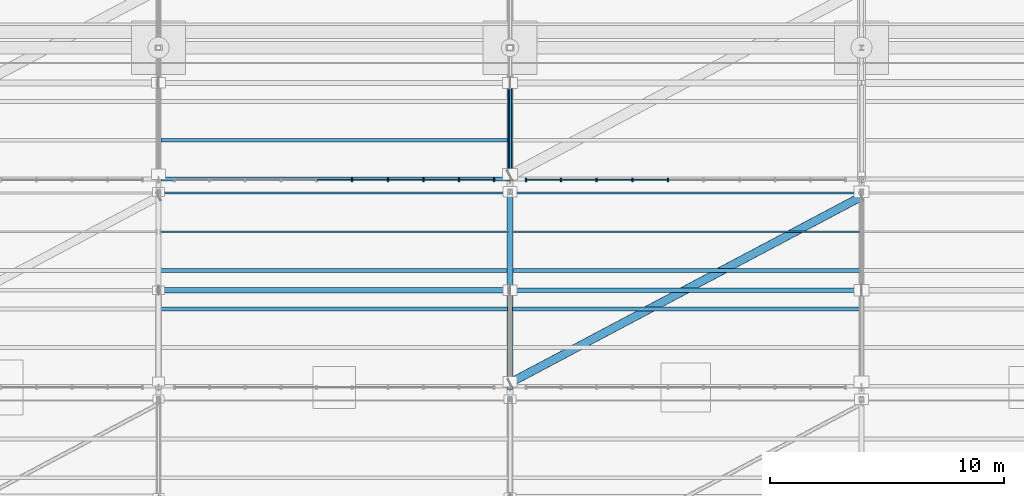
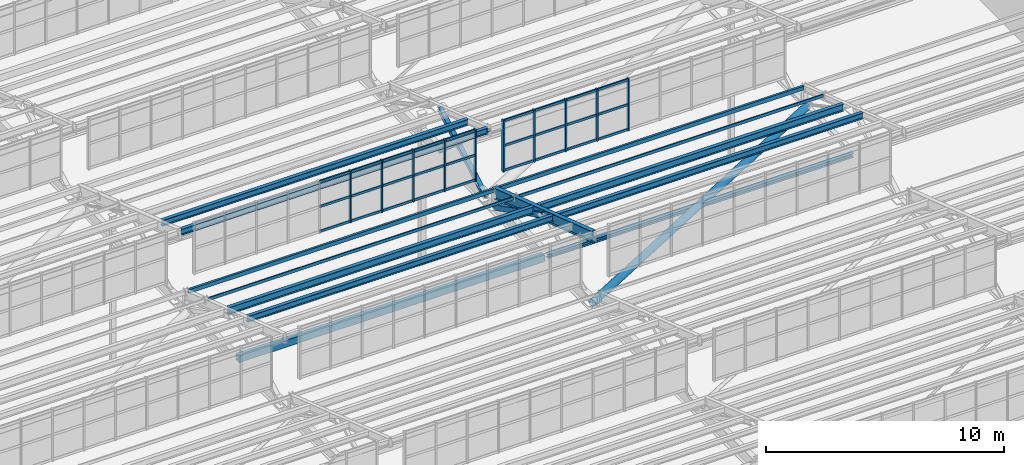
# One storey, part 104 of 285: 43 members, 11 beams, 2 elements without a shape of their own.
"""IFC4 building model written with IfcOpenShell, lengths in metres."""

from ifc_helpers import new_model, si_unit, direction, frame, origin, origin_2d, place, context, subcontext, project, spatial, rectangle, hollow_rectangle, hollow_circle, i_section, extrude, material, material_profile, profile_set, type_object, element, aggregate, save


model = new_model("IFC4")

# Units and contexts
model_context = context("Model", 3, precision=1e-05, world=origin(), true_north=direction((0.0, 1.0)))
body_context = subcontext(model_context, "Body", "Model", "MODEL_VIEW")
ifc_project = project(units=[si_unit("LENGTHUNIT", "METRE"), si_unit("AREAUNIT", "SQUARE_METRE"), si_unit("VOLUMEUNIT", "CUBIC_METRE"), si_unit("PLANEANGLEUNIT", "RADIAN"), si_unit("MASSUNIT", "GRAM", prefix="KILO")], contexts=[model_context])

# Site, building, storey
site_placement = place(None, origin())
site = spatial("IfcSite", under=ifc_project, at=site_placement, CompositionType="ELEMENT")
building_placement = place(site_placement, origin())
building = spatial("IfcBuilding", under=site, at=building_placement, Name="Solanera Park Tramway Depot", CompositionType="ELEMENT")
storey_placement = place(building_placement, origin())
storey = spatial("IfcBuildingStorey", under=building, at=storey_placement, Name="L00", CompositionType="ELEMENT", Elevation=0.0)

# Curtain wall, members
ifc_material_1 = material(Name="Bronze-anodised thermally broken aluminium curtain wall", Category="aluminium")
curtain_wall_type = type_object("IfcCurtainWallType", Name="Sawtooth Clerestory Monitor Curtain Wall", PredefinedType="NOTDEFINED", material=ifc_material_1)
curtain_wall_1_placement = place(storey_placement, origin())
curtain_wall_1 = element("IfcCurtainWall", 1, at=curtain_wall_1_placement, inside=storey, type_object=curtain_wall_type, Name="L00 Sawtooth Clerestory Monitor Curtain Wall #050", PredefinedType="NOTDEFINED")
ifc_material_2 = material(Name="Bronze-anodised structural aluminium 6063-T6", Category="aluminium")
ifc_material_profile_1 = material_profile(ifc_material_2, rectangle(XDim=0.06494140625, YDim=0.14990234375, at=origin_2d()), Name="Curtain Wall Mullion 65x150")
ifc_profile_set_1 = profile_set([ifc_material_profile_1], Name="Bronze-anodised structural aluminium 6063-T6")
member_type_1 = type_object("IfcMemberType", Name="Curtain Wall Mullion 65x150", PredefinedType="MULLION", material=ifc_profile_set_1)
member_1_placement = place(storey_placement, frame((113.260986328125, 108.85009765625, 7.75), z_axis=(0.0, 0.0, 1.0), x_axis=(1.0, 0.0, 0.0)))
member_1 = element("IfcMember", 2, at=member_1_placement, type_object=member_type_1, Name="CW-L00-050 Mullion 6", PredefinedType="MULLION", context=body_context, shape_type="SweptSolid", body=[
    extrude(rectangle(XDim=0.06494140625, YDim=0.14990234375, at=origin_2d()), origin(), (0.0, 0.0, 1.0), 2.6611328125),
])
member_2_placement = place(storey_placement, frame((114.783203125, 108.85009765625, 7.75), z_axis=(0.0, 0.0, 1.0), x_axis=(1.0, 0.0, 0.0)))
member_2 = element("IfcMember", 3, at=member_2_placement, type_object=member_type_1, Name="CW-L00-050 Mullion 7", PredefinedType="MULLION", context=body_context, shape_type="SweptSolid", body=[
    extrude(rectangle(XDim=0.06494140625, YDim=0.14990234375, at=origin_2d()), origin(), (0.0, 0.0, 1.0), 2.6611328125),
])
member_3_placement = place(storey_placement, frame((116.3056640625, 108.85009765625, 7.75), z_axis=(0.0, 0.0, 1.0), x_axis=(1.0, 0.0, 0.0)))
member_3 = element("IfcMember", 4, at=member_3_placement, type_object=member_type_1, Name="CW-L00-050 Mullion 8", PredefinedType="MULLION", context=body_context, shape_type="SweptSolid", body=[
    extrude(rectangle(XDim=0.06494140625, YDim=0.14990234375, at=origin_2d()), origin(), (0.0, 0.0, 1.0), 2.6611328125),
])
member_4_placement = place(storey_placement, frame((117.827880859375, 108.85009765625, 7.75), z_axis=(0.0, 0.0, 1.0), x_axis=(1.0, 0.0, 0.0)))
member_4 = element("IfcMember", 5, at=member_4_placement, type_object=member_type_1, Name="CW-L00-050 Mullion 9", PredefinedType="MULLION", context=body_context, shape_type="SweptSolid", body=[
    extrude(rectangle(XDim=0.06494140625, YDim=0.14990234375, at=origin_2d()), origin(), (0.0, 0.0, 1.0), 2.6611328125),
])
member_5_placement = place(storey_placement, frame((119.3173828125, 108.85009765625, 7.75), z_axis=(0.0, 0.0, 1.0), x_axis=(1.0, 0.0, 0.0)))
member_5 = element("IfcMember", 6, at=member_5_placement, type_object=member_type_1, Name="CW-L00-050 Mullion 10", PredefinedType="MULLION", context=body_context, shape_type="SweptSolid", body=[
    extrude(rectangle(XDim=0.06494140625, YDim=0.14990234375, at=origin_2d()), origin(), (0.0, 0.0, 1.0), 2.6611328125),
])

curtain_wall_2_placement = place(storey_placement, origin())
curtain_wall_2 = element("IfcCurtainWall", 7, at=curtain_wall_2_placement, inside=storey, type_object=curtain_wall_type, Name="L00 Sawtooth Clerestory Monitor Curtain Wall #051", PredefinedType="NOTDEFINED")
member_6_placement = place(storey_placement, frame((120.6826171875, 108.85009765625, 7.75), z_axis=(0.0, 0.0, 1.0), x_axis=(1.0, 0.0, 0.0)))
member_6 = element("IfcMember", 8, at=member_6_placement, type_object=member_type_1, Name="CW-L00-051 Mullion 1", PredefinedType="MULLION", context=body_context, shape_type="SweptSolid", body=[
    extrude(rectangle(XDim=0.06494140625, YDim=0.14990234375, at=origin_2d()), origin(), (0.0, 0.0, 1.0), 2.6611328125),
])
member_7_placement = place(storey_placement, frame((122.172119140625, 108.85009765625, 7.75), z_axis=(0.0, 0.0, 1.0), x_axis=(1.0, 0.0, 0.0)))
member_7 = element("IfcMember", 9, at=member_7_placement, type_object=member_type_1, Name="CW-L00-051 Mullion 2", PredefinedType="MULLION", context=body_context, shape_type="SweptSolid", body=[
    extrude(rectangle(XDim=0.06494140625, YDim=0.14990234375, at=origin_2d()), origin(), (0.0, 0.0, 1.0), 2.6611328125),
])
member_8_placement = place(storey_placement, frame((123.6943359375, 108.85009765625, 7.75), z_axis=(0.0, 0.0, 1.0), x_axis=(1.0, 0.0, 0.0)))
member_8 = element("IfcMember", 10, at=member_8_placement, type_object=member_type_1, Name="CW-L00-051 Mullion 3", PredefinedType="MULLION", context=body_context, shape_type="SweptSolid", body=[
    extrude(rectangle(XDim=0.06494140625, YDim=0.14990234375, at=origin_2d()), origin(), (0.0, 0.0, 1.0), 2.6611328125),
])
member_9_placement = place(storey_placement, frame((125.216796875, 108.85009765625, 7.75), z_axis=(0.0, 0.0, 1.0), x_axis=(1.0, 0.0, 0.0)))
member_9 = element("IfcMember", 11, at=member_9_placement, type_object=member_type_1, Name="CW-L00-051 Mullion 4", PredefinedType="MULLION", context=body_context, shape_type="SweptSolid", body=[
    extrude(rectangle(XDim=0.06494140625, YDim=0.14990234375, at=origin_2d()), origin(), (0.0, 0.0, 1.0), 2.6611328125),
])
member_10_placement = place(storey_placement, frame((126.739013671875, 108.85009765625, 7.75), z_axis=(0.0, 0.0, 1.0), x_axis=(1.0, 0.0, 0.0)))
member_10 = element("IfcMember", 12, at=member_10_placement, type_object=member_type_1, Name="CW-L00-051 Mullion 5", PredefinedType="MULLION", context=body_context, shape_type="SweptSolid", body=[
    extrude(rectangle(XDim=0.06494140625, YDim=0.14990234375, at=origin_2d()), origin(), (0.0, 0.0, 1.0), 2.6611328125),
])

# Member
ifc_material_3 = material(Name="Bronze-anodised structural aluminium 6063-T6", Category="aluminium")
ifc_material_profile_2 = material_profile(ifc_material_3, rectangle(XDim=0.06494140625, YDim=0.1201171875, at=origin_2d()), Name="Curtain Wall Transom 65x120")
ifc_profile_set_2 = profile_set([ifc_material_profile_2], Name="Bronze-anodised structural aluminium 6063-T6")
member_type_2 = type_object("IfcMemberType", Name="Curtain Wall Transom 65x120", PredefinedType="USERDEFINED", material=ifc_profile_set_2)
member_11_placement = place(storey_placement, frame((111.766845703125, 108.85009765625, 7.81005859375), z_axis=(1.0, 0.0, 0.0), x_axis=(0.0, 1.0, 0.0)))
member_11 = element("IfcMember", 13, at=member_11_placement, type_object=member_type_2, Name="CW-L00-050 Transom R1.C5", ObjectType="TRANSOM", PredefinedType="USERDEFINED", context=body_context, shape_type="SweptSolid", body=[
    extrude(rectangle(XDim=0.06494140625, YDim=0.1201171875, at=origin_2d()), origin(), (0.0, 0.0, 1.0), 1.46630859375),
])

member_12_placement = place(storey_placement, frame((113.2890625, 108.85009765625, 7.81005859375), z_axis=(1.0, 0.0, 0.0), x_axis=(0.0, 1.0, 0.0)))
member_12 = element("IfcMember", 14, at=member_12_placement, type_object=member_type_2, Name="CW-L00-050 Transom R1.C6", ObjectType="TRANSOM", PredefinedType="USERDEFINED", context=body_context, shape_type="SweptSolid", body=[
    extrude(rectangle(XDim=0.06494140625, YDim=0.1201171875, at=origin_2d()), origin(), (0.0, 0.0, 1.0), 1.46630859375),
])

member_13_placement = place(storey_placement, frame((114.811279296875, 108.85009765625, 7.81005859375), z_axis=(1.0, 0.0, 0.0), x_axis=(0.0, 1.0, 0.0)))
member_13 = element("IfcMember", 15, at=member_13_placement, type_object=member_type_2, Name="CW-L00-050 Transom R1.C7", ObjectType="TRANSOM", PredefinedType="USERDEFINED", context=body_context, shape_type="SweptSolid", body=[
    extrude(rectangle(XDim=0.06494140625, YDim=0.1201171875, at=origin_2d()), origin(), (0.0, 0.0, 1.0), 1.46630859375),
])

member_14_placement = place(storey_placement, frame((116.33349609375, 108.85009765625, 7.81005859375), z_axis=(1.0, 0.0, 0.0), x_axis=(0.0, 1.0, 0.0)))
member_14 = element("IfcMember", 16, at=member_14_placement, type_object=member_type_2, Name="CW-L00-050 Transom R1.C8", ObjectType="TRANSOM", PredefinedType="USERDEFINED", context=body_context, shape_type="SweptSolid", body=[
    extrude(rectangle(XDim=0.06494140625, YDim=0.1201171875, at=origin_2d()), origin(), (0.0, 0.0, 1.0), 1.46630859375),
])

member_15_placement = place(storey_placement, frame((117.855712890625, 108.85009765625, 7.81005859375), z_axis=(1.0, 0.0, 0.0), x_axis=(0.0, 1.0, 0.0)))
member_15 = element("IfcMember", 17, at=member_15_placement, type_object=member_type_2, Name="CW-L00-050 Transom R1.C9", ObjectType="TRANSOM", PredefinedType="USERDEFINED", context=body_context, shape_type="SweptSolid", body=[
    extrude(rectangle(XDim=0.06494140625, YDim=0.1201171875, at=origin_2d()), origin(), (0.0, 0.0, 1.0), 1.433837890625),
])

member_16_placement = place(storey_placement, frame((111.766845703125, 108.85009765625, 9.08056640625), z_axis=(1.0, 0.0, 0.0), x_axis=(0.0, 1.0, 0.0)))
member_16 = element("IfcMember", 18, at=member_16_placement, type_object=member_type_2, Name="CW-L00-050 Transom R2.C5", ObjectType="TRANSOM", PredefinedType="USERDEFINED", context=body_context, shape_type="SweptSolid", body=[
    extrude(rectangle(XDim=0.06494140625, YDim=0.1201171875, at=origin_2d()), origin(), (0.0, 0.0, 1.0), 1.46630859375),
])

member_17_placement = place(storey_placement, frame((113.2890625, 108.85009765625, 9.08056640625), z_axis=(1.0, 0.0, 0.0), x_axis=(0.0, 1.0, 0.0)))
member_17 = element("IfcMember", 19, at=member_17_placement, type_object=member_type_2, Name="CW-L00-050 Transom R2.C6", ObjectType="TRANSOM", PredefinedType="USERDEFINED", context=body_context, shape_type="SweptSolid", body=[
    extrude(rectangle(XDim=0.06494140625, YDim=0.1201171875, at=origin_2d()), origin(), (0.0, 0.0, 1.0), 1.46630859375),
])

member_18_placement = place(storey_placement, frame((114.811279296875, 108.85009765625, 9.08056640625), z_axis=(1.0, 0.0, 0.0), x_axis=(0.0, 1.0, 0.0)))
member_18 = element("IfcMember", 20, at=member_18_placement, type_object=member_type_2, Name="CW-L00-050 Transom R2.C7", ObjectType="TRANSOM", PredefinedType="USERDEFINED", context=body_context, shape_type="SweptSolid", body=[
    extrude(rectangle(XDim=0.06494140625, YDim=0.1201171875, at=origin_2d()), origin(), (0.0, 0.0, 1.0), 1.46630859375),
])

member_19_placement = place(storey_placement, frame((116.33349609375, 108.85009765625, 9.08056640625), z_axis=(1.0, 0.0, 0.0), x_axis=(0.0, 1.0, 0.0)))
member_19 = element("IfcMember", 21, at=member_19_placement, type_object=member_type_2, Name="CW-L00-050 Transom R2.C8", ObjectType="TRANSOM", PredefinedType="USERDEFINED", context=body_context, shape_type="SweptSolid", body=[
    extrude(rectangle(XDim=0.06494140625, YDim=0.1201171875, at=origin_2d()), origin(), (0.0, 0.0, 1.0), 1.46630859375),
])

member_20_placement = place(storey_placement, frame((117.855712890625, 108.85009765625, 9.08056640625), z_axis=(1.0, 0.0, 0.0), x_axis=(0.0, 1.0, 0.0)))
member_20 = element("IfcMember", 22, at=member_20_placement, type_object=member_type_2, Name="CW-L00-050 Transom R2.C9", ObjectType="TRANSOM", PredefinedType="USERDEFINED", context=body_context, shape_type="SweptSolid", body=[
    extrude(rectangle(XDim=0.06494140625, YDim=0.1201171875, at=origin_2d()), origin(), (0.0, 0.0, 1.0), 1.433837890625),
])

member_21_placement = place(storey_placement, frame((111.766845703125, 108.85009765625, 10.351318359375), z_axis=(1.0, 0.0, 0.0), x_axis=(0.0, 1.0, 0.0)))
member_21 = element("IfcMember", 23, at=member_21_placement, type_object=member_type_2, Name="CW-L00-050 Transom R3.C5", ObjectType="TRANSOM", PredefinedType="USERDEFINED", context=body_context, shape_type="SweptSolid", body=[
    extrude(rectangle(XDim=0.06494140625, YDim=0.1201171875, at=origin_2d()), origin(), (0.0, 0.0, 1.0), 1.46630859375),
])

member_22_placement = place(storey_placement, frame((113.2890625, 108.85009765625, 10.351318359375), z_axis=(1.0, 0.0, 0.0), x_axis=(0.0, 1.0, 0.0)))
member_22 = element("IfcMember", 24, at=member_22_placement, type_object=member_type_2, Name="CW-L00-050 Transom R3.C6", ObjectType="TRANSOM", PredefinedType="USERDEFINED", context=body_context, shape_type="SweptSolid", body=[
    extrude(rectangle(XDim=0.06494140625, YDim=0.1201171875, at=origin_2d()), origin(), (0.0, 0.0, 1.0), 1.46630859375),
])

member_23_placement = place(storey_placement, frame((114.811279296875, 108.85009765625, 10.351318359375), z_axis=(1.0, 0.0, 0.0), x_axis=(0.0, 1.0, 0.0)))
member_23 = element("IfcMember", 25, at=member_23_placement, type_object=member_type_2, Name="CW-L00-050 Transom R3.C7", ObjectType="TRANSOM", PredefinedType="USERDEFINED", context=body_context, shape_type="SweptSolid", body=[
    extrude(rectangle(XDim=0.06494140625, YDim=0.1201171875, at=origin_2d()), origin(), (0.0, 0.0, 1.0), 1.46630859375),
])

member_24_placement = place(storey_placement, frame((116.33349609375, 108.85009765625, 10.351318359375), z_axis=(1.0, 0.0, 0.0), x_axis=(0.0, 1.0, 0.0)))
member_24 = element("IfcMember", 26, at=member_24_placement, type_object=member_type_2, Name="CW-L00-050 Transom R3.C8", ObjectType="TRANSOM", PredefinedType="USERDEFINED", context=body_context, shape_type="SweptSolid", body=[
    extrude(rectangle(XDim=0.06494140625, YDim=0.1201171875, at=origin_2d()), origin(), (0.0, 0.0, 1.0), 1.46630859375),
])

member_25_placement = place(storey_placement, frame((117.855712890625, 108.85009765625, 10.351318359375), z_axis=(1.0, 0.0, 0.0), x_axis=(0.0, 1.0, 0.0)))
member_25 = element("IfcMember", 27, at=member_25_placement, type_object=member_type_2, Name="CW-L00-050 Transom R3.C9", ObjectType="TRANSOM", PredefinedType="USERDEFINED", context=body_context, shape_type="SweptSolid", body=[
    extrude(rectangle(XDim=0.06494140625, YDim=0.1201171875, at=origin_2d()), origin(), (0.0, 0.0, 1.0), 1.433837890625),
])

aggregate(curtain_wall_1, [member_1, member_2, member_3, member_4, member_5, member_11, member_12, member_13, member_14, member_15, member_16, member_17, member_18, member_19, member_20, member_21, member_22, member_23, member_24, member_25])

member_26_placement = place(storey_placement, frame((120.71044921875, 108.85009765625, 7.81005859375), z_axis=(1.0, 0.0, 0.0), x_axis=(0.0, 1.0, 0.0)))
member_26 = element("IfcMember", 28, at=member_26_placement, type_object=member_type_2, Name="CW-L00-051 Transom R1.C1", ObjectType="TRANSOM", PredefinedType="USERDEFINED", context=body_context, shape_type="SweptSolid", body=[
    extrude(rectangle(XDim=0.06494140625, YDim=0.1201171875, at=origin_2d()), origin(), (0.0, 0.0, 1.0), 1.433837890625),
])

member_27_placement = place(storey_placement, frame((122.2001953125, 108.85009765625, 7.81005859375), z_axis=(1.0, 0.0, 0.0), x_axis=(0.0, 1.0, 0.0)))
member_27 = element("IfcMember", 29, at=member_27_placement, type_object=member_type_2, Name="CW-L00-051 Transom R1.C2", ObjectType="TRANSOM", PredefinedType="USERDEFINED", context=body_context, shape_type="SweptSolid", body=[
    extrude(rectangle(XDim=0.06494140625, YDim=0.1201171875, at=origin_2d()), origin(), (0.0, 0.0, 1.0), 1.46630859375),
])

member_28_placement = place(storey_placement, frame((123.722412109375, 108.85009765625, 7.81005859375), z_axis=(1.0, 0.0, 0.0), x_axis=(0.0, 1.0, 0.0)))
member_28 = element("IfcMember", 30, at=member_28_placement, type_object=member_type_2, Name="CW-L00-051 Transom R1.C3", ObjectType="TRANSOM", PredefinedType="USERDEFINED", context=body_context, shape_type="SweptSolid", body=[
    extrude(rectangle(XDim=0.06494140625, YDim=0.1201171875, at=origin_2d()), origin(), (0.0, 0.0, 1.0), 1.46630859375),
])

member_29_placement = place(storey_placement, frame((125.24462890625, 108.85009765625, 7.81005859375), z_axis=(1.0, 0.0, 0.0), x_axis=(0.0, 1.0, 0.0)))
member_29 = element("IfcMember", 31, at=member_29_placement, type_object=member_type_2, Name="CW-L00-051 Transom R1.C4", ObjectType="TRANSOM", PredefinedType="USERDEFINED", context=body_context, shape_type="SweptSolid", body=[
    extrude(rectangle(XDim=0.06494140625, YDim=0.1201171875, at=origin_2d()), origin(), (0.0, 0.0, 1.0), 1.46630859375),
])

member_30_placement = place(storey_placement, frame((120.71044921875, 108.85009765625, 9.08056640625), z_axis=(1.0, 0.0, 0.0), x_axis=(0.0, 1.0, 0.0)))
member_30 = element("IfcMember", 32, at=member_30_placement, type_object=member_type_2, Name="CW-L00-051 Transom R2.C1", ObjectType="TRANSOM", PredefinedType="USERDEFINED", context=body_context, shape_type="SweptSolid", body=[
    extrude(rectangle(XDim=0.06494140625, YDim=0.1201171875, at=origin_2d()), origin(), (0.0, 0.0, 1.0), 1.433837890625),
])

member_31_placement = place(storey_placement, frame((122.2001953125, 108.85009765625, 9.08056640625), z_axis=(1.0, 0.0, 0.0), x_axis=(0.0, 1.0, 0.0)))
member_31 = element("IfcMember", 33, at=member_31_placement, type_object=member_type_2, Name="CW-L00-051 Transom R2.C2", ObjectType="TRANSOM", PredefinedType="USERDEFINED", context=body_context, shape_type="SweptSolid", body=[
    extrude(rectangle(XDim=0.06494140625, YDim=0.1201171875, at=origin_2d()), origin(), (0.0, 0.0, 1.0), 1.46630859375),
])

member_32_placement = place(storey_placement, frame((123.722412109375, 108.85009765625, 9.08056640625), z_axis=(1.0, 0.0, 0.0), x_axis=(0.0, 1.0, 0.0)))
member_32 = element("IfcMember", 34, at=member_32_placement, type_object=member_type_2, Name="CW-L00-051 Transom R2.C3", ObjectType="TRANSOM", PredefinedType="USERDEFINED", context=body_context, shape_type="SweptSolid", body=[
    extrude(rectangle(XDim=0.06494140625, YDim=0.1201171875, at=origin_2d()), origin(), (0.0, 0.0, 1.0), 1.46630859375),
])

member_33_placement = place(storey_placement, frame((125.24462890625, 108.85009765625, 9.08056640625), z_axis=(1.0, 0.0, 0.0), x_axis=(0.0, 1.0, 0.0)))
member_33 = element("IfcMember", 35, at=member_33_placement, type_object=member_type_2, Name="CW-L00-051 Transom R2.C4", ObjectType="TRANSOM", PredefinedType="USERDEFINED", context=body_context, shape_type="SweptSolid", body=[
    extrude(rectangle(XDim=0.06494140625, YDim=0.1201171875, at=origin_2d()), origin(), (0.0, 0.0, 1.0), 1.46630859375),
])

member_34_placement = place(storey_placement, frame((120.71044921875, 108.85009765625, 10.351318359375), z_axis=(1.0, 0.0, 0.0), x_axis=(0.0, 1.0, 0.0)))
member_34 = element("IfcMember", 36, at=member_34_placement, type_object=member_type_2, Name="CW-L00-051 Transom R3.C1", ObjectType="TRANSOM", PredefinedType="USERDEFINED", context=body_context, shape_type="SweptSolid", body=[
    extrude(rectangle(XDim=0.06494140625, YDim=0.1201171875, at=origin_2d()), origin(), (0.0, 0.0, 1.0), 1.433837890625),
])

member_35_placement = place(storey_placement, frame((122.2001953125, 108.85009765625, 10.351318359375), z_axis=(1.0, 0.0, 0.0), x_axis=(0.0, 1.0, 0.0)))
member_35 = element("IfcMember", 37, at=member_35_placement, type_object=member_type_2, Name="CW-L00-051 Transom R3.C2", ObjectType="TRANSOM", PredefinedType="USERDEFINED", context=body_context, shape_type="SweptSolid", body=[
    extrude(rectangle(XDim=0.06494140625, YDim=0.1201171875, at=origin_2d()), origin(), (0.0, 0.0, 1.0), 1.46630859375),
])

member_36_placement = place(storey_placement, frame((123.722412109375, 108.85009765625, 10.351318359375), z_axis=(1.0, 0.0, 0.0), x_axis=(0.0, 1.0, 0.0)))
member_36 = element("IfcMember", 38, at=member_36_placement, type_object=member_type_2, Name="CW-L00-051 Transom R3.C3", ObjectType="TRANSOM", PredefinedType="USERDEFINED", context=body_context, shape_type="SweptSolid", body=[
    extrude(rectangle(XDim=0.06494140625, YDim=0.1201171875, at=origin_2d()), origin(), (0.0, 0.0, 1.0), 1.46630859375),
])

member_37_placement = place(storey_placement, frame((125.24462890625, 108.85009765625, 10.351318359375), z_axis=(1.0, 0.0, 0.0), x_axis=(0.0, 1.0, 0.0)))
member_37 = element("IfcMember", 39, at=member_37_placement, type_object=member_type_2, Name="CW-L00-051 Transom R3.C4", ObjectType="TRANSOM", PredefinedType="USERDEFINED", context=body_context, shape_type="SweptSolid", body=[
    extrude(rectangle(XDim=0.06494140625, YDim=0.1201171875, at=origin_2d()), origin(), (0.0, 0.0, 1.0), 1.46630859375),
])

aggregate(curtain_wall_2, [member_6, member_7, member_8, member_9, member_10, member_26, member_27, member_28, member_29, member_30, member_31, member_32, member_33, member_34, member_35, member_36, member_37])

# Members
ifc_material_4 = material(Name="Steel AS/NZS 3679.1 Grade 350", Category="steel")
ifc_material_profile_3 = material_profile(ifc_material_4, i_section(OverallWidth=0.205078125, OverallDepth=0.209716796875, WebThickness=0.00927734375, FlangeThickness=0.01416015625, at=origin_2d()), Name="200UC59.5")
ifc_profile_set_3 = profile_set([ifc_material_profile_3], Name="Steel AS/NZS 3679.1 Grade 350")
member_type_3 = type_object("IfcMemberType", Name="Roof Gantry Compression Strut 200UC59.5", PredefinedType="STRUT", material=ifc_profile_set_3)
member_38_placement = place(storey_placement, frame((120.0, 109.10009765625, 6.5), z_axis=(0.0, 0.866884023838, 0.498509868723), x_axis=(-1.0, 0.0, 0.0)))
element("IfcMember", 40, at=member_38_placement, inside=storey, type_object=member_type_3, Name="Sawtooth ROOF TRUSS Strut 200UC59.5 #0299", PredefinedType="STRUT", context=body_context, shape_type="SweptSolid", body=[
    extrude(i_section(OverallWidth=0.205078125, OverallDepth=0.209716796875, WebThickness=0.00927734375, FlangeThickness=0.01416015625, at=origin_2d()), origin(), (0.0, 0.0, 1.0), 4.498779296875),
])
ifc_material_5 = material(Name="Steel AS/NZS 3679.1 Grade 350", Category="steel")
ifc_material_profile_4 = material_profile(ifc_material_5, i_section(OverallWidth=0.203369140625, OverallDepth=0.203369140625, WebThickness=0.00732421875, FlangeThickness=0.010986328125, at=origin_2d()), Name="200UC46.2")
ifc_profile_set_4 = profile_set([ifc_material_profile_4], Name="Steel AS/NZS 3679.1 Grade 350")
member_type_4 = type_object("IfcMemberType", Name="Secondary Truss Chord 200UC46.2", PredefinedType="CHORD", material=ifc_profile_set_4)
member_39_placement = place(storey_placement, frame((120.087890625, 104.14990234375, 6.5), z_axis=(1.0, 0.0, 0.0), x_axis=(0.0, 1.0, 0.0)))
element("IfcMember", 41, at=member_39_placement, inside=storey, type_object=member_type_4, Name="Sawtooth Longitudinal Tie Chord 200UC46.2 #0270", PredefinedType="CHORD", context=body_context, shape_type="SweptSolid", body=[
    extrude(i_section(OverallWidth=0.203369140625, OverallDepth=0.203369140625, WebThickness=0.00732421875, FlangeThickness=0.010986328125, at=origin_2d()), origin(), (0.0, 0.0, 1.0), 14.82421875),
])
ifc_material_6 = material(Name="Steel AS/NZS 1163 Grade C350L0", Category="steel")
ifc_material_profile_5 = material_profile(ifc_material_6, hollow_rectangle(XDim=0.25, YDim=0.35009765625, WallThickness=0.010009765625, at=origin_2d()), Name="350x250x10.0 RHS")
ifc_profile_set_5 = profile_set([ifc_material_profile_5], Name="Steel AS/NZS 1163 Grade C350L0")
member_type_5 = type_object("IfcMemberType", Name="Secondary Truss Chord 350x250x10.0 RHS", PredefinedType="CHORD", material=ifc_profile_set_5)
member_40_placement = place(storey_placement, frame((105.087890625, 104.14990234375, 6.5), z_axis=(1.0, 0.0, 0.0), x_axis=(0.0, 1.0, 0.0)))
element("IfcMember", 42, at=member_40_placement, inside=storey, type_object=member_type_5, Name="Sawtooth Longitudinal Tie Chord 350x250x10.0 RHS #0269", PredefinedType="CHORD", context=body_context, shape_type="SweptSolid", body=[
    extrude(hollow_rectangle(XDim=0.25, YDim=0.35009765625, WallThickness=0.010009765625, at=origin_2d()), origin(), (0.0, 0.0, 1.0), 14.82421875),
])

# Beams
ifc_material_7 = material(Name="Steel AS/NZS 3679.1 Grade 350", Category="steel")
ifc_material_profile_6 = material_profile(ifc_material_7, i_section(OverallWidth=0.209228515625, OverallDepth=0.532958984375, WebThickness=0.01025390625, FlangeThickness=0.015625, at=origin_2d()), Name="530UB92.4")
ifc_profile_set_6 = profile_set([ifc_material_profile_6], Name="Steel AS/NZS 3679.1 Grade 350")
beam_type_1 = type_object("IfcBeamType", Name="Steel Beam 530UB92.4", PredefinedType="BEAM", material=ifc_profile_set_6)
beam_1_placement = place(storey_placement, frame((120.0, 100.0, 10.018310546875), z_axis=(0.0, 0.948322229475, -0.317308917435), x_axis=(-1.0, 0.0, 0.0)))
element("IfcBeam", 43, at=beam_1_placement, inside=storey, type_object=beam_type_1, Name="Sawtooth ROOF TRUSS Top Rafter 530UB92.4 B06-T9", PredefinedType="BEAM", context=body_context, shape_type="SweptSolid", body=[
    extrude(i_section(OverallWidth=0.209228515625, OverallDepth=0.532958984375, WebThickness=0.01025390625, FlangeThickness=0.015625, at=origin_2d()), origin(), (0.0, 0.0, 1.0), 8.80517578125),
])
ifc_material_8 = material(Name="Steel AS/NZS 1163 Grade C350L0", Category="steel")
ifc_material_profile_7 = material_profile(ifc_material_8, hollow_rectangle(XDim=0.050048828125, YDim=0.14990234375, WallThickness=0.0048828125, at=origin_2d()), Name="150x50x5.0 RHS")
ifc_profile_set_7 = profile_set([ifc_material_profile_7], Name="Steel AS/NZS 1163 Grade C350L0")
beam_type_2 = type_object("IfcBeamType", Name="Steel Joist Purlin 150x50x5.0 RHS", PredefinedType="JOIST", material=ifc_profile_set_7)
beam_2_placement = place(storey_placement, frame((105.087158203125, 106.64990234375, 7.998291015625), z_axis=(1.0, 0.0, 0.0), x_axis=(0.0, 1.0, 0.0)))
element("IfcBeam", 44, at=beam_2_placement, inside=storey, type_object=beam_type_2, Name="Sawtooth Roof Purlin 150x50x5.0 RHS B06.5", PredefinedType="JOIST", context=body_context, shape_type="SweptSolid", body=[
    extrude(hollow_rectangle(XDim=0.050048828125, YDim=0.14990234375, WallThickness=0.0048828125, at=origin_2d()), origin(), (0.0, 0.0, 1.0), 14.816162109375),
])
beam_3_placement = place(storey_placement, frame((120.0966796875, 106.64990234375, 7.998291015625), z_axis=(1.0, 0.0, 0.0), x_axis=(0.0, 1.0, 0.0)))
element("IfcBeam", 45, at=beam_3_placement, inside=storey, type_object=beam_type_2, Name="Sawtooth Roof Purlin 150x50x5.0 RHS B06.5", PredefinedType="JOIST", context=body_context, shape_type="SweptSolid", body=[
    extrude(hollow_rectangle(XDim=0.050048828125, YDim=0.14990234375, WallThickness=0.0048828125, at=origin_2d()), origin(), (0.0, 0.0, 1.0), 14.828369140625),
])
ifc_material_9 = material(Name="Steel AS/NZS 1163 Grade C350L0", Category="steel")
ifc_material_profile_8 = material_profile(ifc_material_9, hollow_rectangle(XDim=0.10009765625, YDim=0.199951171875, WallThickness=0.006103515625, at=origin_2d()), Name="200x100x6.0 RHS")
ifc_profile_set_8 = profile_set([ifc_material_profile_8], Name="Steel AS/NZS 1163 Grade C350L0")
beam_type_3 = type_object("IfcBeamType", Name="Steel Joist Purlin 200x100x6.0 RHS", PredefinedType="JOIST", material=ifc_profile_set_8)
beam_4_placement = place(storey_placement, frame((105.087158203125, 108.300048828125, 7.412841796875), z_axis=(1.0, 0.0, 0.0), x_axis=(0.0, 1.0, 0.0)))
element("IfcBeam", 46, at=beam_4_placement, inside=storey, type_object=beam_type_3, Name="Sawtooth Roof Purlin 200x100x6.0 RHS B06.6", PredefinedType="JOIST", context=body_context, shape_type="SweptSolid", body=[
    extrude(hollow_rectangle(XDim=0.10009765625, YDim=0.199951171875, WallThickness=0.006103515625, at=origin_2d()), origin(), (0.0, 0.0, 1.0), 14.816162109375),
])
beam_5_placement = place(storey_placement, frame((120.0966796875, 108.300048828125, 7.412841796875), z_axis=(1.0, 0.0, 0.0), x_axis=(0.0, 1.0, 0.0)))
element("IfcBeam", 47, at=beam_5_placement, inside=storey, type_object=beam_type_3, Name="Sawtooth Roof Purlin 200x100x6.0 RHS B06.6", PredefinedType="JOIST", context=body_context, shape_type="SweptSolid", body=[
    extrude(hollow_rectangle(XDim=0.10009765625, YDim=0.199951171875, WallThickness=0.006103515625, at=origin_2d()), origin(), (0.0, 0.0, 1.0), 14.828369140625),
])
ifc_material_10 = material(Name="Steel AS/NZS 3679.1 Grade 350", Category="steel")
ifc_material_profile_9 = material_profile(ifc_material_10, i_section(OverallWidth=0.1650390625, OverallDepth=0.3037109375, WebThickness=0.006103515625, FlangeThickness=0.01025390625, at=origin_2d()), Name="310UB40.4")
ifc_profile_set_9 = profile_set([ifc_material_profile_9], Name="Steel AS/NZS 3679.1 Grade 350")
beam_type_4 = type_object("IfcBeamType", Name="Steel Joist Purlin 310UB40.4", PredefinedType="JOIST", material=ifc_profile_set_9)
beam_6_placement = place(storey_placement, frame((105.0966796875, 108.89990234375, 10.110595703125), z_axis=(1.0, 0.0, 0.0), x_axis=(0.0, 1.0, 0.0)))
element("IfcBeam", 48, at=beam_6_placement, inside=storey, type_object=beam_type_4, Name="Sawtooth Roof Purlin 310UB40.4 B07.1", PredefinedType="JOIST", context=body_context, shape_type="SweptSolid", body=[
    extrude(i_section(OverallWidth=0.1650390625, OverallDepth=0.3037109375, WebThickness=0.006103515625, FlangeThickness=0.01025390625, at=origin_2d()), origin(), (0.0, 0.0, 1.0), 14.828369140625),
])
ifc_material_11 = material(Name="Steel AS/NZS 3679.1 Grade 350", Category="steel")
ifc_material_profile_10 = material_profile(ifc_material_11, i_section(OverallWidth=0.166015625, OverallDepth=0.30712890625, WebThickness=0.006591796875, FlangeThickness=0.01171875, at=origin_2d()), Name="310UB46.2")
ifc_profile_set_10 = profile_set([ifc_material_profile_10], Name="Steel AS/NZS 3679.1 Grade 350")
beam_type_5 = type_object("IfcBeamType", Name="Steel Joist Purlin 310UB46.2", PredefinedType="JOIST", material=ifc_profile_set_10)
beam_7_placement = place(storey_placement, frame((105.087158203125, 103.35009765625, 9.004638671875), z_axis=(1.0, 0.0, 0.0), x_axis=(0.0, 1.0, 0.0)))
element("IfcBeam", 49, at=beam_7_placement, inside=storey, type_object=beam_type_5, Name="Sawtooth Roof Purlin 310UB46.2 B06.3", PredefinedType="JOIST", context=body_context, shape_type="SweptSolid", body=[
    extrude(i_section(OverallWidth=0.166015625, OverallDepth=0.30712890625, WebThickness=0.006591796875, FlangeThickness=0.01171875, at=origin_2d()), origin(), (0.0, 0.0, 1.0), 14.816162109375),
])
for number, where, z_axis, x_axis, name in (
    (50, (120.0966796875, 103.35009765625, 9.004638671875), (1.0, 0.0, 0.0), (0.0, 1.0, 0.0), "Sawtooth Roof Purlin 310UB46.2 B06.3"),
    (51, (105.0966796875, 110.550048828125, 9.556640625), (1.0, 0.0, 0.0), (0.0, 1.0, 0.0), "Sawtooth Roof Purlin 310UB46.2 B07.2"),
):
    element("IfcBeam", number, at=place(storey_placement, frame(where, z_axis=z_axis, x_axis=x_axis)), inside=storey, type_object=beam_type_5, Name=name, PredefinedType="JOIST", context=body_context, shape_type="SweptSolid", body=[
        extrude(i_section(OverallWidth=0.166015625, OverallDepth=0.30712890625, WebThickness=0.006591796875, FlangeThickness=0.01171875, at=origin_2d()), origin(), (0.0, 0.0, 1.0), 14.828369140625),
    ])
ifc_material_12 = material(Name="Steel AS/NZS 3679.1 Grade 350", Category="steel")
ifc_material_profile_11 = material_profile(ifc_material_12, i_section(OverallWidth=0.17138671875, OverallDepth=0.355712890625, WebThickness=0.00732421875, FlangeThickness=0.011474609375, at=origin_2d()), Name="360UB50.7")
ifc_profile_set_11 = profile_set([ifc_material_profile_11], Name="Steel AS/NZS 3679.1 Grade 350")
beam_type_6 = type_object("IfcBeamType", Name="Steel Joist Purlin 360UB50.7", PredefinedType="JOIST", material=ifc_profile_set_11)
beam_8_placement = place(storey_placement, frame((105.087158203125, 105.0, 8.42724609375), z_axis=(1.0, 0.0, 0.0), x_axis=(0.0, 1.0, 0.0)))
element("IfcBeam", 52, at=beam_8_placement, inside=storey, type_object=beam_type_6, Name="Sawtooth Roof Purlin 360UB50.7 B06.4", PredefinedType="JOIST", context=body_context, shape_type="SweptSolid", body=[
    extrude(i_section(OverallWidth=0.17138671875, OverallDepth=0.355712890625, WebThickness=0.00732421875, FlangeThickness=0.011474609375, at=origin_2d()), origin(), (0.0, 0.0, 1.0), 14.816162109375),
])
beam_9_placement = place(storey_placement, frame((120.0966796875, 105.0, 8.42724609375), z_axis=(1.0, 0.0, 0.0), x_axis=(0.0, 1.0, 0.0)))
element("IfcBeam", 53, at=beam_9_placement, inside=storey, type_object=beam_type_6, Name="Sawtooth Roof Purlin 360UB50.7 B06.4", PredefinedType="JOIST", context=body_context, shape_type="SweptSolid", body=[
    extrude(i_section(OverallWidth=0.17138671875, OverallDepth=0.355712890625, WebThickness=0.00732421875, FlangeThickness=0.011474609375, at=origin_2d()), origin(), (0.0, 0.0, 1.0), 14.828369140625),
])

# Members
ifc_material_13 = material(Name="Steel AS/NZS 1163 Grade C350L0", Category="steel")
ifc_material_profile_12 = material_profile(ifc_material_13, hollow_circle(Radius=0.084228515625, WallThickness=0.00634765625, at=origin_2d()), Name="168.3x6.4 CHS")
ifc_profile_set_12 = profile_set([ifc_material_profile_12], Name="Steel AS/NZS 1163 Grade C350L0")
member_type_6 = type_object("IfcMemberType", Name="Truss and Frame Brace 168.3x6.4 CHS", PredefinedType="BRACE", material=ifc_profile_set_12)
member_41_placement = place(storey_placement, frame((120.0, 113.0, 6.5), z_axis=(0.0, -0.752582180048, 0.658498338855), x_axis=(1.0, 0.0, 0.0)))
element("IfcMember", 54, at=member_41_placement, inside=storey, type_object=member_type_6, Name="Sawtooth ROOF TRUSS Web Brace 168.3x6.4 CHS #0297", PredefinedType="BRACE", context=body_context, shape_type="SweptSolid", body=[
    extrude(hollow_circle(Radius=0.084228515625, WallThickness=0.00634765625, at=origin_2d()), origin(), (0.0, 0.0, 1.0), 5.51416015625),
])
ifc_material_14 = material(Name="Steel AS/NZS 1163 Grade C350L0", Category="steel")
ifc_material_profile_13 = material_profile(ifc_material_14, hollow_rectangle(XDim=0.25, YDim=0.25, WallThickness=0.010009765625, at=origin_2d()), Name="250x250x10.0 SHS")
ifc_profile_set_13 = profile_set([ifc_material_profile_13], Name="Steel AS/NZS 1163 Grade C350L0")
member_type_7 = type_object("IfcMemberType", Name="Truss and Frame Brace 250x250x10.0 SHS", PredefinedType="BRACE", material=ifc_profile_set_13)
member_42_placement = place(storey_placement, frame((120.0, 108.35009765625, 6.5), z_axis=(0.0, -0.891903919885, 0.452224941476), x_axis=(1.0, 0.0, 0.0)))
element("IfcMember", 55, at=member_42_placement, inside=storey, type_object=member_type_7, Name="Sawtooth ROOF TRUSS Diagonal 250x250x10.0 SHS #0251", PredefinedType="BRACE", context=body_context, shape_type="SweptSolid", body=[
    extrude(hollow_rectangle(XDim=0.25, YDim=0.25, WallThickness=0.010009765625, at=origin_2d()), origin(), (0.0, 0.0, 1.0), 4.709228515625),
])
ifc_material_15 = material(Name="Steel AS/NZS 1163 Grade C350L0", Category="steel")
ifc_material_profile_14 = material_profile(ifc_material_15, hollow_circle(Radius=0.177734375, WallThickness=0.0126953125, at=origin_2d()), Name="355.6x12.7 CHS")
ifc_profile_set_14 = profile_set([ifc_material_profile_14], Name="Steel AS/NZS 1163 Grade C350L0")
member_type_8 = type_object("IfcMemberType", Name="Truss and Frame Brace 355.6x12.7 CHS", PredefinedType="BRACE", material=ifc_profile_set_14)
member_43_placement = place(storey_placement, frame((120.001953125, 100.199951171875, 6.5), z_axis=(0.883523615038, 0.468386615598, 0.0), x_axis=(-0.468386615598, 0.883523615038, 0.0)))
element("IfcMember", 56, at=member_43_placement, inside=storey, type_object=member_type_8, Name="Roof Plane Cyclonic Brace 355.6x12.7 CHS #0271", PredefinedType="BRACE", context=body_context, shape_type="SweptSolid", body=[
    extrude(hollow_circle(Radius=0.177734375, WallThickness=0.0126953125, at=origin_2d()), origin(), (0.0, 0.0, 1.0), 16.97314453125),
])

save(model, "model.ifc")
